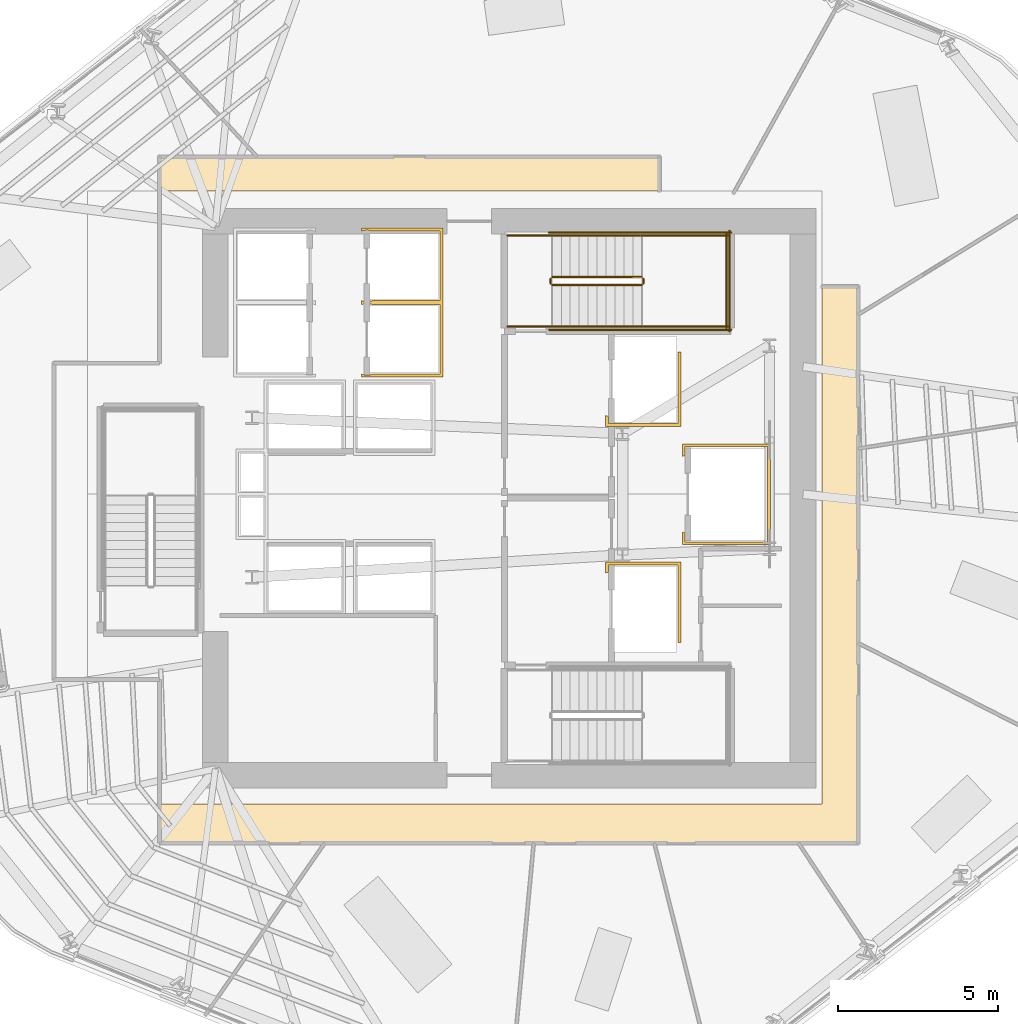
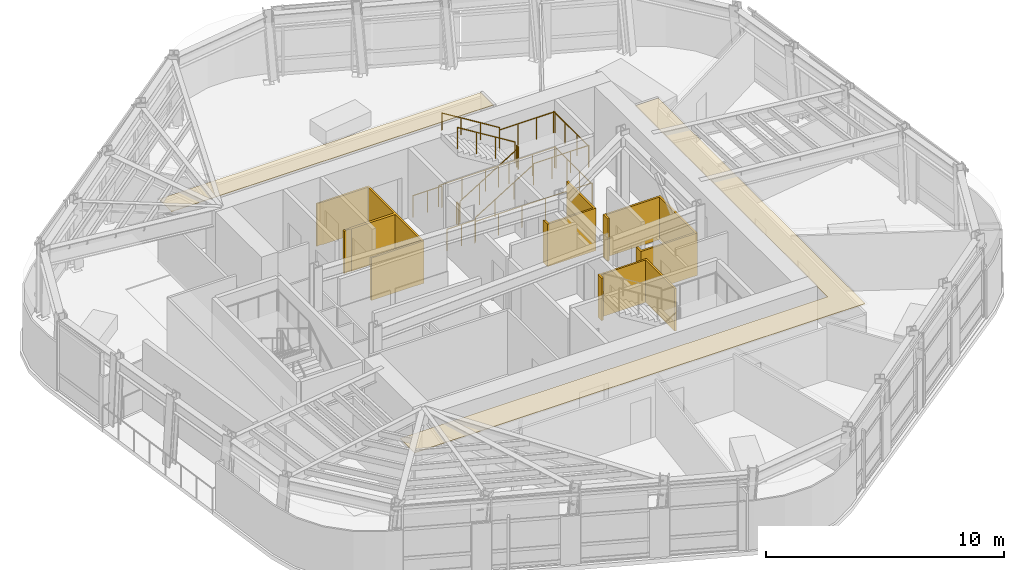
# One storey, part 13 of 15: 14 railings, 6 coverings.
"""IFC4 building model written with IfcOpenShell, lengths in metres."""

from ifc_helpers import new_model, si_unit, direction, frame, origin, origin_2d, place, context, subcontext, project, spatial, polyline, circle, outline, extrude, material, layer, layer_set, type_object, element, save


model = new_model("IFC4")

# Units and contexts
model_context = context("Model", 3, precision=1e-05, world=origin(), true_north=direction((0.0, 1.0)))
body_context = subcontext(model_context, "Body", "Model", "MODEL_VIEW")
ifc_project = project(units=[si_unit("LENGTHUNIT", "METRE"), si_unit("AREAUNIT", "SQUARE_METRE"), si_unit("VOLUMEUNIT", "CUBIC_METRE"), si_unit("PLANEANGLEUNIT", "RADIAN"), si_unit("MASSUNIT", "GRAM", prefix="KILO")], contexts=[model_context])

# Site, building, storey
site_placement = place(None, origin())
site = spatial("IfcSite", under=ifc_project, at=site_placement, CompositionType="ELEMENT")
building_placement = place(site_placement, origin())
building = spatial("IfcBuilding", under=site, at=building_placement, Name="Valkerne Bourse Tower", CompositionType="ELEMENT")
storey_placement = place(building_placement, frame((0.0, 0.0, 185.60009765625)))
storey = spatial("IfcBuildingStorey", under=building, at=storey_placement, Name="L47", CompositionType="ELEMENT", Elevation=185.60009765625)

# Coverings
ifc_material_1 = material(Name="Bronze Anodised Aluminium AA 6063-T6", Category="aluminium")
ifc_layer_1 = layer(ifc_material_1, 0.030029296875)
ifc_layer_set_1 = layer_set([ifc_layer_1], Name="Bronze Anodised Aluminium AA 6063-T6")
covering_type_1 = type_object("IfcCoveringType", Name="COV-CEIL-METAL", PredefinedType="CEILING", material=ifc_layer_set_1)
covering_1_placement = place(storey_placement, frame((0.0, 0.0, 3.22998046875)))
element("IfcCovering", 1, at=covering_1_placement, inside=storey, type_object=covering_type_1, Name="L47 Suspended Ceiling 01", PredefinedType="CEILING", context=body_context, shape_type="SweptSolid", body=[
    extrude(outline(polyline([(35.85400390625, 17.300048828125), (56.60009765625, 17.300048828125), (56.60009765625, 33.49609375), (57.716064453125, 33.49609375), (57.716064453125, 16.083984375), (35.85400390625, 16.083984375), (35.85400390625, 17.300048828125)])), origin(), (0.0, 0.0, 1.0), 0.02490234375),
])
covering_2_placement = place(storey_placement, frame((0.0, 0.0, 3.22998046875)))
element("IfcCovering", 2, at=covering_2_placement, inside=storey, type_object=covering_type_1, Name="L47 Suspended Ceiling 03", PredefinedType="CEILING", context=body_context, shape_type="SweptSolid", body=[
    extrude(outline(polyline([(35.85400390625, 37.555908203125), (51.49609375, 37.555908203125), (51.49609375, 36.5), (35.85400390625, 36.5), (35.85400390625, 37.555908203125)])), origin(), (0.0, 0.0, 1.0), 0.02490234375),
])
ifc_material_2 = material(Name="Gypsum Shaftwall Liner Board", Category="gypsum")
ifc_layer_2 = layer(ifc_material_2, 0.080078125)
ifc_layer_set_2 = layer_set([ifc_layer_2], Name="Gypsum Shaftwall Liner Board")
covering_type_2 = type_object("IfcCoveringType", Name="COV-SHF-CLAD", PredefinedType="CLADDING", material=ifc_layer_set_2)
covering_3_placement = place(storey_placement, origin())
element("IfcCovering", 3, at=covering_3_placement, inside=storey, type_object=covering_type_2, Name="L47 Hoistway & Riser Shaftwall Liner 05", PredefinedType="CLADDING", context=body_context, shape_type="SweptSolid", body=[
    extrude(outline(polyline([(52.179931640625, 22.35009765625), (52.090087890625, 22.35009765625), (52.090087890625, 24.7900390625), (49.909912109375, 24.7900390625), (49.909912109375, 24.560791015625), (49.869384765625, 24.550537109375), (49.827880859375, 24.53564453125), (49.820068359375, 24.531982421875), (49.820068359375, 24.8798828125), (52.179931640625, 24.8798828125), (52.179931640625, 22.35009765625)])), origin(), (0.0, 0.0, 1.0), 2.179931640625),
])
covering_4_placement = place(storey_placement, origin())
element("IfcCovering", 4, at=covering_4_placement, inside=storey, type_object=covering_type_2, Name="L47 Hoistway & Riser Shaftwall Liner 06", PredefinedType="CLADDING", context=body_context, shape_type="SweptSolid", body=[
    extrude(outline(polyline([(54.97998046875, 25.419921875), (52.219970703125, 25.419921875), (52.219970703125, 25.81787109375), (52.227783203125, 25.814208984375), (52.269287109375, 25.79931640625), (52.31005859375, 25.789306640625), (52.31005859375, 25.510009765625), (54.889892578125, 25.510009765625), (54.889892578125, 28.489990234375), (52.31005859375, 28.489990234375), (52.31005859375, 28.210693359375), (52.269287109375, 28.20068359375), (52.227783203125, 28.185791015625), (52.219970703125, 28.18212890625), (52.219970703125, 28.580078125), (54.97998046875, 28.580078125), (54.97998046875, 25.419921875)])), origin(), (0.0, 0.0, 1.0), 2.179931640625),
])
covering_5_placement = place(storey_placement, origin())
element("IfcCovering", 5, at=covering_5_placement, inside=storey, type_object=covering_type_2, Name="L47 Hoistway & Riser Shaftwall Liner 08", PredefinedType="CLADDING", context=body_context, shape_type="SweptSolid", body=[
    extrude(outline(polyline([(49.820068359375, 29.1201171875), (49.820068359375, 29.468017578125), (49.827880859375, 29.46435546875), (49.869384765625, 29.449462890625), (49.909912109375, 29.439208984375), (49.909912109375, 29.2099609375), (52.090087890625, 29.2099609375), (52.090087890625, 31.449951171875), (52.179931640625, 31.449951171875), (52.179931640625, 29.1201171875), (49.820068359375, 29.1201171875)])), origin(), (0.0, 0.0, 1.0), 2.179931640625),
])
covering_6_placement = place(storey_placement, origin())
element("IfcCovering", 6, at=covering_6_placement, inside=storey, type_object=covering_type_2, Name="L47 Hoistway & Riser Shaftwall Liner 09", PredefinedType="CLADDING", context=body_context, shape_type="SweptSolid", body=[
    extrude(outline(polyline([(42.169921875, 33.06787109375), (42.177734375, 33.064208984375), (42.219482421875, 33.04931640625), (42.26220703125, 33.03857421875), (42.305908203125, 33.0322265625), (42.35009765625, 33.030029296875), (42.39404296875, 33.0322265625), (42.437744140625, 33.03857421875), (42.480712890625, 33.04931640625), (42.51025390625, 33.06005859375), (44.639892578125, 33.06005859375), (44.639892578125, 35.239990234375), (42.51025390625, 35.239990234375), (42.480712890625, 35.25048828125), (42.437744140625, 35.261474609375), (42.39404296875, 35.267822265625), (42.35009765625, 35.27001953125), (42.305908203125, 35.267822265625), (42.26220703125, 35.261474609375), (42.219482421875, 35.25048828125), (42.177734375, 35.235595703125), (42.169921875, 35.232177734375), (42.169921875, 35.330078125), (44.72998046875, 35.330078125), (44.72998046875, 33.030029296875), (44.72998046875, 32.969970703125), (44.72998046875, 30.669921875), (42.169921875, 30.669921875), (42.169921875, 30.767822265625), (42.177734375, 30.764404296875), (42.219482421875, 30.74951171875), (42.26220703125, 30.738525390625), (42.305908203125, 30.732177734375), (42.35009765625, 30.72998046875), (42.39404296875, 30.732177734375), (42.437744140625, 30.738525390625), (42.480712890625, 30.74951171875), (42.51025390625, 30.760009765625), (44.639892578125, 30.760009765625), (44.639892578125, 32.93994140625), (42.51025390625, 32.93994140625), (42.480712890625, 32.95068359375), (42.437744140625, 32.96142578125), (42.39404296875, 32.9677734375), (42.35009765625, 32.969970703125), (42.305908203125, 32.9677734375), (42.26220703125, 32.96142578125), (42.219482421875, 32.95068359375), (42.177734375, 32.935791015625), (42.169921875, 32.93212890625), (42.169921875, 32.969970703125), (42.169921875, 33.030029296875), (42.169921875, 33.06787109375)])), origin(), (0.0, 0.0, 1.0), 2.179931640625),
])

# Railings
ifc_material_3 = material(Name="Galvanised Painted Steel", Category="steel")
railing_type_1 = type_object("IfcRailingType", Name="RLG-ST-GUARD-1120", PredefinedType="GUARDRAIL", material=ifc_material_3)
railing_1_placement = place(storey_placement, frame((48.14990234375, 33.550048828125, 0.172607421875)))
element("IfcRailing", 7, at=railing_1_placement, inside=storey, type_object=railing_type_1, Name="L47 ST-2 stair guard 1", PredefinedType="GUARDRAIL", context=body_context, shape_type="SweptSolid", body=[
    extrude(circle(Radius=0.02392578125, at=origin_2d()), frame((0.0, 0.0, 1.09619140625), z_axis=(0.851089632645, 0.0, 0.525020415988), x_axis=(0.0, 1.0, 0.0)), (0.0, 0.0, 1.0), 3.2900390625),
    extrude(circle(Radius=0.02099609375, at=origin_2d()), origin(), (0.0, 0.0, 1.0), 1.072021484375),
    extrude(circle(Radius=0.02099609375, at=origin_2d()), frame((0.933349609375, 0.0, 0.57568359375)), (0.0, 0.0, 1.0), 1.072021484375),
    extrude(circle(Radius=0.02099609375, at=origin_2d()), frame((1.86669921875, 0.0, 1.151611328125)), (0.0, 0.0, 1.0), 1.072021484375),
    extrude(circle(Radius=0.02099609375, at=origin_2d()), frame((2.800048828125, 0.0, 1.727294921875)), (0.0, 0.0, 1.0), 1.072021484375),
])
railing_2_placement = place(storey_placement, frame((51.0, 33.60009765625, 1.89990234375)))
element("IfcRailing", 8, at=railing_2_placement, inside=storey, type_object=railing_type_1, Name="L47 ST-2 stair guard 2", PredefinedType="GUARDRAIL", context=body_context, shape_type="SweptSolid", body=[
    extrude(circle(Radius=0.02392578125, at=origin_2d()), frame((0.0, 0.0, 1.09619140625), z_axis=(0.0, 1.0, 0.0), x_axis=(-1.0, 0.0, 0.0)), (0.0, 0.0, 1.0), 0.14990234375),
    extrude(circle(Radius=0.02099609375, at=origin_2d()), origin(), (0.0, 0.0, 1.0), 1.072021484375),
    extrude(circle(Radius=0.02099609375, at=origin_2d()), frame((0.0, 0.14990234375, 0.0)), (0.0, 0.0, 1.0), 1.072021484375),
])
for number, where, name in (
    (9, (50.949951171875, 32.25, 1.89990234375), "L47 ST-2 stair guard 3"),
    (10, (50.949951171875, 35.10009765625, 1.89990234375), "L47 ST-2 stair guard 4"),
):
    element("IfcRailing", number, at=place(storey_placement, frame(where)), inside=storey, type_object=railing_type_1, Name=name, PredefinedType="GUARDRAIL", context=body_context, shape_type="SweptSolid", body=[
        extrude(circle(Radius=0.02392578125, at=origin_2d()), frame((0.0, 0.0, 1.09619140625), z_axis=(1.0, 0.0, 0.0), x_axis=(0.0, 1.0, 0.0)), (0.0, 0.0, 1.0), 2.699951171875),
        extrude(circle(Radius=0.02099609375, at=origin_2d()), origin(), (0.0, 0.0, 1.0), 1.072021484375),
        extrude(circle(Radius=0.02099609375, at=origin_2d()), frame((0.89990234375, 0.0, 0.0)), (0.0, 0.0, 1.0), 1.072021484375),
        extrude(circle(Radius=0.02099609375, at=origin_2d()), frame((1.800048828125, 0.0, 0.0)), (0.0, 0.0, 1.0), 1.072021484375),
        extrude(circle(Radius=0.02099609375, at=origin_2d()), frame((2.699951171875, 0.0, 0.0)), (0.0, 0.0, 1.0), 1.072021484375),
    ])
railing_3_placement = place(storey_placement, frame((53.60009765625, 32.199951171875, 1.89990234375)))
element("IfcRailing", 11, at=railing_3_placement, inside=storey, type_object=railing_type_1, Name="L47 ST-2 stair guard 5", PredefinedType="GUARDRAIL", context=body_context, shape_type="SweptSolid", body=[
    extrude(circle(Radius=0.02392578125, at=origin_2d()), frame((0.0, 0.0, 1.09619140625), z_axis=(0.0, 1.0, 0.0), x_axis=(-1.0, 0.0, 0.0)), (0.0, 0.0, 1.0), 2.949951171875),
    extrude(circle(Radius=0.02099609375, at=origin_2d()), origin(), (0.0, 0.0, 1.0), 1.072021484375),
    extrude(circle(Radius=0.02099609375, at=origin_2d()), frame((0.0, 0.9833984375, 0.0)), (0.0, 0.0, 1.0), 1.072021484375),
    extrude(circle(Radius=0.02099609375, at=origin_2d()), frame((0.0, 1.966552734375, 0.0)), (0.0, 0.0, 1.0), 1.072021484375),
    extrude(circle(Radius=0.02099609375, at=origin_2d()), frame((0.0, 2.949951171875, 0.0)), (0.0, 0.0, 1.0), 1.072021484375),
])
railing_4_placement = place(storey_placement, frame((50.949951171875, 33.800048828125, 2.072509765625)))
element("IfcRailing", 12, at=railing_4_placement, inside=storey, type_object=railing_type_1, Name="L47 ST-2 stair guard 6", PredefinedType="GUARDRAIL", context=body_context, shape_type="SweptSolid", body=[
    extrude(circle(Radius=0.02392578125, at=origin_2d()), frame((0.0, 0.0, 1.09619140625), z_axis=(-0.851089632645, 0.0, 0.525020415988), x_axis=(0.0, -1.0, 0.0)), (0.0, 0.0, 1.0), 3.2900390625),
    extrude(circle(Radius=0.02099609375, at=origin_2d()), origin(), (0.0, 0.0, 1.0), 1.072021484375),
    extrude(circle(Radius=0.02099609375, at=origin_2d()), frame((-0.933349609375, 0.0, 0.57568359375)), (0.0, 0.0, 1.0), 1.072021484375),
    extrude(circle(Radius=0.02099609375, at=origin_2d()), frame((-1.86669921875, 0.0, 1.151611328125)), (0.0, 0.0, 1.0), 1.072021484375),
    extrude(circle(Radius=0.02099609375, at=origin_2d()), frame((-2.800048828125, 0.0, 1.727294921875)), (0.0, 0.0, 1.0), 1.072021484375),
])
railing_5_placement = place(storey_placement, frame((48.10009765625, 33.60009765625, 0.0)))
element("IfcRailing", 13, at=railing_5_placement, inside=storey, type_object=railing_type_1, Name="L47 ST-2 stair guard 7", PredefinedType="GUARDRAIL", context=body_context, shape_type="SweptSolid", body=[
    extrude(circle(Radius=0.02392578125, at=origin_2d()), frame((0.0, 0.0, 1.09619140625), z_axis=(0.0, 1.0, 0.0), x_axis=(-1.0, 0.0, 0.0)), (0.0, 0.0, 1.0), 0.14990234375),
    extrude(circle(Radius=0.02099609375, at=origin_2d()), origin(), (0.0, 0.0, 1.0), 1.072021484375),
    extrude(circle(Radius=0.02099609375, at=origin_2d()), frame((0.0, 0.14990234375, 0.0)), (0.0, 0.0, 1.0), 1.072021484375),
])
for number, where, name in (
    (14, (46.75, 32.25, 0.0), "L47 ST-2 stair guard 8"),
    (15, (46.75, 35.10009765625, 0.0), "L47 ST-2 stair guard 9"),
):
    element("IfcRailing", number, at=place(storey_placement, frame(where)), inside=storey, type_object=railing_type_1, Name=name, PredefinedType="GUARDRAIL", context=body_context, shape_type="SweptSolid", body=[
        extrude(circle(Radius=0.02392578125, at=origin_2d()), frame((0.0, 0.0, 1.09619140625), z_axis=(1.0, 0.0, 0.0), x_axis=(0.0, 1.0, 0.0)), (0.0, 0.0, 1.0), 1.39990234375),
        extrude(circle(Radius=0.02099609375, at=origin_2d()), origin(), (0.0, 0.0, 1.0), 1.072021484375),
        extrude(circle(Radius=0.02099609375, at=origin_2d()), frame((0.699951171875, 0.0, 0.0)), (0.0, 0.0, 1.0), 1.072021484375),
        extrude(circle(Radius=0.02099609375, at=origin_2d()), frame((1.39990234375, 0.0, 0.0)), (0.0, 0.0, 1.0), 1.072021484375),
    ])
for number, where, name in (
    (16, (48.050048828125, 32.14990234375, 0.0), "L47 ST-2 stair guard 10"),
    (17, (48.050048828125, 35.199951171875, 0.0), "L47 ST-2 stair guard 11"),
):
    element("IfcRailing", number, at=place(storey_placement, frame(where)), inside=storey, type_object=railing_type_1, Name=name, PredefinedType="GUARDRAIL", context=body_context, shape_type="SweptSolid", body=[
        extrude(circle(Radius=0.02392578125, at=origin_2d()), frame((0.0, 0.0, 1.09619140625), z_axis=(1.0, 0.0, 0.0), x_axis=(0.0, 1.0, 0.0)), (0.0, 0.0, 1.0), 5.699951171875),
        extrude(circle(Radius=0.02099609375, at=origin_2d()), origin(), (0.0, 0.0, 1.0), 1.072021484375),
        extrude(circle(Radius=0.02099609375, at=origin_2d()), frame((1.139892578125, 0.0, 0.0)), (0.0, 0.0, 1.0), 1.072021484375),
        extrude(circle(Radius=0.02099609375, at=origin_2d()), frame((2.280029296875, 0.0, 0.0)), (0.0, 0.0, 1.0), 1.072021484375),
        extrude(circle(Radius=0.02099609375, at=origin_2d()), frame((3.419921875, 0.0, 0.0)), (0.0, 0.0, 1.0), 1.072021484375),
        extrude(circle(Radius=0.02099609375, at=origin_2d()), frame((4.56005859375, 0.0, 0.0)), (0.0, 0.0, 1.0), 1.072021484375),
        extrude(circle(Radius=0.02099609375, at=origin_2d()), frame((5.699951171875, 0.0, 0.0)), (0.0, 0.0, 1.0), 1.072021484375),
    ])
railing_6_placement = place(storey_placement, frame((53.699951171875, 32.10009765625, 0.0)))
element("IfcRailing", 18, at=railing_6_placement, inside=storey, type_object=railing_type_1, Name="L47 ST-2 stair guard 12", PredefinedType="GUARDRAIL", context=body_context, shape_type="SweptSolid", body=[
    extrude(circle(Radius=0.02392578125, at=origin_2d()), frame((0.0, 0.0, 1.09619140625), z_axis=(0.0, 1.0, 0.0), x_axis=(-1.0, 0.0, 0.0)), (0.0, 0.0, 1.0), 3.14990234375),
    extrude(circle(Radius=0.02099609375, at=origin_2d()), origin(), (0.0, 0.0, 1.0), 1.072021484375),
    extrude(circle(Radius=0.02099609375, at=origin_2d()), frame((0.0, 1.050048828125, 0.0)), (0.0, 0.0, 1.0), 1.072021484375),
    extrude(circle(Radius=0.02099609375, at=origin_2d()), frame((0.0, 2.099853515625, 0.0)), (0.0, 0.0, 1.0), 1.072021484375),
    extrude(circle(Radius=0.02099609375, at=origin_2d()), frame((0.0, 3.14990234375, 0.0)), (0.0, 0.0, 1.0), 1.072021484375),
])
ifc_material_4 = material(Name="Stainless Steel AISI 316", Category="steel")
railing_type_2 = type_object("IfcRailingType", Name="RLG-ST-HANDRAIL-900", PredefinedType="HANDRAIL", material=ifc_material_4)
railing_7_placement = place(storey_placement, frame((48.14990234375, 32.25, 0.345458984375)))
element("IfcRailing", 19, at=railing_7_placement, inside=storey, type_object=railing_type_2, Name="L47 ST-2 stair handrail 1", PredefinedType="HANDRAIL", context=body_context, shape_type="SweptSolid", body=[
    extrude(circle(Radius=0.02392578125, at=origin_2d()), frame((0.0, 0.0, 0.8759765625), z_axis=(0.851122791225, 0.0, 0.524966660138), x_axis=(0.0, 1.0, 0.0)), (0.0, 0.0, 1.0), 3.289794921875),
    extrude(circle(Radius=0.02099609375, at=origin_2d()), origin(), (0.0, 0.0, 1.0), 0.851806640625),
    extrude(circle(Radius=0.02099609375, at=origin_2d()), frame((0.933349609375, 0.0, 0.57568359375)), (0.0, 0.0, 1.0), 0.851806640625),
    extrude(circle(Radius=0.02099609375, at=origin_2d()), frame((1.86669921875, 0.0, 1.1513671875)), (0.0, 0.0, 1.0), 0.851806640625),
    extrude(circle(Radius=0.02099609375, at=origin_2d()), frame((2.800048828125, 0.0, 1.72705078125)), (0.0, 0.0, 1.0), 0.851806640625),
])
railing_8_placement = place(storey_placement, frame((50.949951171875, 35.10009765625, 2.245361328125)))
element("IfcRailing", 20, at=railing_8_placement, inside=storey, type_object=railing_type_2, Name="L47 ST-2 stair handrail 2", PredefinedType="HANDRAIL", context=body_context, shape_type="SweptSolid", body=[
    extrude(circle(Radius=0.02392578125, at=origin_2d()), frame((0.0, 0.0, 0.8759765625), z_axis=(-0.851089632645, 0.0, 0.525020415988), x_axis=(0.0, -1.0, 0.0)), (0.0, 0.0, 1.0), 3.2900390625),
    extrude(circle(Radius=0.02099609375, at=origin_2d()), origin(), (0.0, 0.0, 1.0), 0.851806640625),
    extrude(circle(Radius=0.02099609375, at=origin_2d()), frame((-0.933349609375, 0.0, 0.57568359375)), (0.0, 0.0, 1.0), 0.851806640625),
    extrude(circle(Radius=0.02099609375, at=origin_2d()), frame((-1.86669921875, 0.0, 1.151611328125)), (0.0, 0.0, 1.0), 0.851806640625),
    extrude(circle(Radius=0.02099609375, at=origin_2d()), frame((-2.800048828125, 0.0, 1.727294921875)), (0.0, 0.0, 1.0), 0.851806640625),
])

save(model, "model.ifc")
